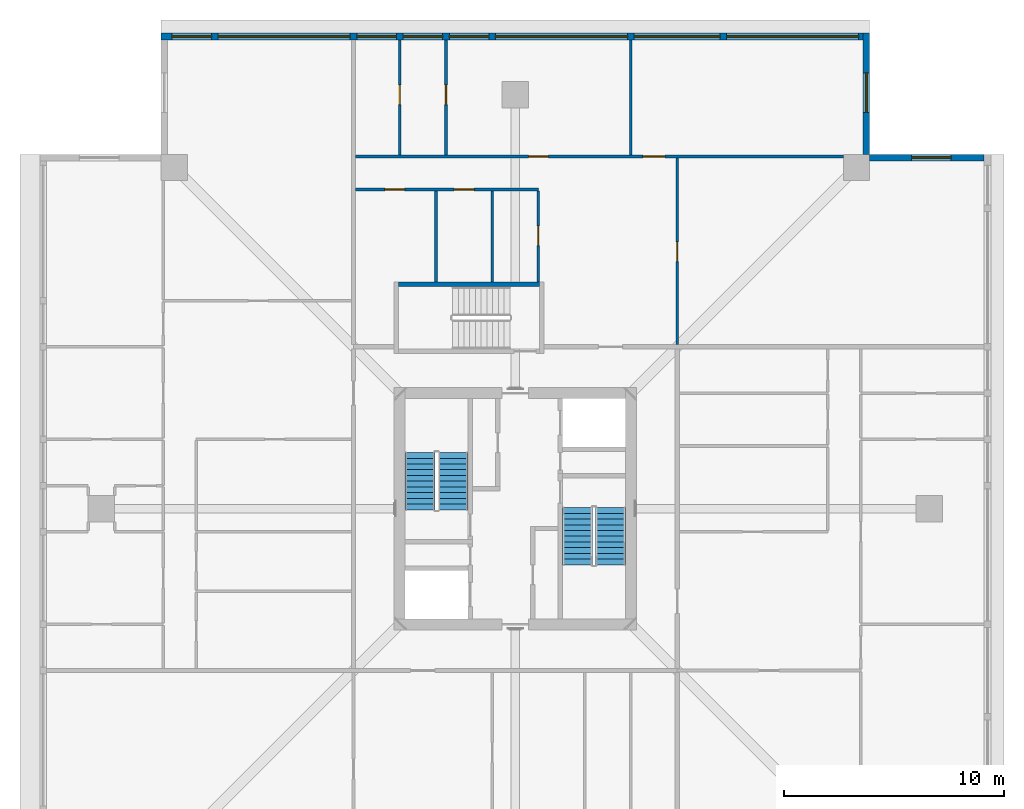
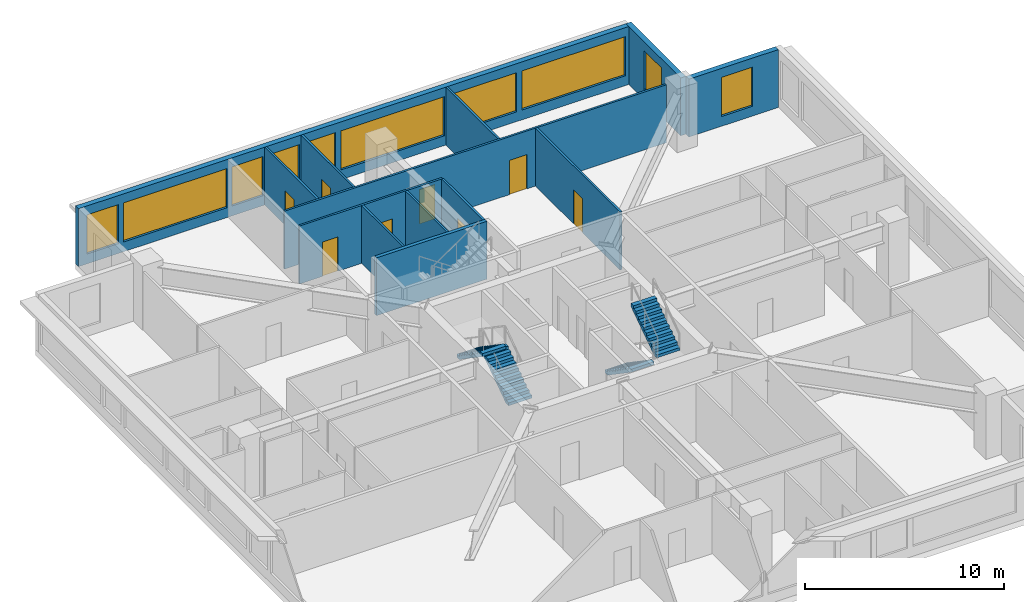
# One storey, part 8 of 12: 13 walls, 10 windows, 8 doors, 4 stair flights, 18 openings, 2 elements without a shape of their own.
"""IFC4 building model written with IfcOpenShell, lengths in metres."""

from ifc_helpers import new_model, si_unit, direction, frame, frame_2d, origin, place, context, subcontext, project, spatial, polyline, rectangle, outline, extrude, material, layer, layer_set, type_object, element, fill, aggregate, save


model = new_model("IFC4")

# Units and contexts
model_context = context("Model", 3, precision=1e-05, world=origin(), true_north=direction((0.0, 1.0)))
body_context = subcontext(model_context, "Body", "Model", "MODEL_VIEW")
ifc_project = project(units=[si_unit("LENGTHUNIT", "METRE"), si_unit("AREAUNIT", "SQUARE_METRE"), si_unit("VOLUMEUNIT", "CUBIC_METRE"), si_unit("PLANEANGLEUNIT", "RADIAN"), si_unit("MASSUNIT", "GRAM", prefix="KILO")], contexts=[model_context])

# Site, building, storey
site_placement = place(None, origin())
site = spatial("IfcSite", under=ifc_project, at=site_placement, CompositionType="ELEMENT")
building_placement = place(site_placement, origin())
building = spatial("IfcBuilding", under=site, at=building_placement, Name="Khepri Terraces", CompositionType="ELEMENT")
storey_placement = place(building_placement, frame((0.0, 0.0, 296.699951171875)))
storey = spatial("IfcBuildingStorey", under=building, at=storey_placement, Name="L71", CompositionType="ELEMENT", Elevation=296.699951171875)

# Wall
ifc_material_1 = material(Name="Concrete C40/50", Category="concrete")
ifc_layer_1 = layer(ifc_material_1, 0.199951171875, Name="Concrete C40/50", Category="concrete")
ifc_layer_set_1 = layer_set([ifc_layer_1], Name="Concrete C40/50")
wall_type_1 = type_object("IfcWallType", Name="Core wall 200 C40/50", PredefinedType="SHEAR", material=ifc_layer_set_1)
wall_1_placement = place(storey_placement, frame((-5.300048828125, 10.199951171875, 0.0), z_axis=(0.0, 0.0, 1.0), x_axis=(1.0, 0.0, 0.0)))
element("IfcWall", 1, at=wall_1_placement, inside=storey, type_object=wall_type_1, Name="Core wall S3N L71", PredefinedType="SHEAR", context=body_context, shape_type="SweptSolid", body=[
    extrude(rectangle(XDim=6.400146484375, YDim=0.199951171875, at=frame_2d((3.2001953125, 0.0))), origin(), (0.0, 0.0, 1.0), 3.550048828125),
])

# Wall, opening, window
ifc_material_2 = material(Name="Precast concrete C50/60 warm stone", Category="masonry")
ifc_layer_2 = layer(ifc_material_2, 0.300048828125, Name="Precast concrete C50/60 warm stone", Category="masonry")
ifc_layer_set_2 = layer_set([ifc_layer_2], Name="Precast concrete C50/60 warm stone")
wall_type_2 = type_object("IfcWallType", Name="WL-EXT-PRECAST-300", PredefinedType="STANDARD", material=ifc_layer_set_2)
wall_2_placement = place(storey_placement, frame((21.300048828125, 15.949951171875, 0.0), z_axis=(0.0, 0.0, 1.0), x_axis=(-1.0, 0.0, 0.0)))
wall_2 = element("IfcWall", 2, at=wall_2_placement, inside=storey, type_object=wall_type_2, Name="External wall L71 N", PredefinedType="STANDARD", context=body_context, shape_type="SweptSolid", body=[
    extrude(rectangle(XDim=5.199951171875, YDim=0.300048828125, at=frame_2d((2.60009765625, 0.0))), origin(), (0.0, 0.0, 1.0), 3.550048828125),
])
opening_1_placement = place(wall_2_placement, frame((1.5, 0.0, 0.60009765625)))
opening_1 = element("IfcOpeningElement", 3, at=opening_1_placement, cuts=wall_2, Name="Opening WC1", PredefinedType="OPENING", context=body_context, shape_type="SweptSolid", body=[
    extrude(rectangle(XDim=1.800048828125, YDim=2.39990234375, at=frame_2d((0.89990234375, 1.199951171875))), frame((0.0, 0.16015625, 0.0), z_axis=(0.0, -1.0, 0.0), x_axis=(1.0, 0.0, 0.0)), (0.0, 0.0, 1.0), 0.320068359375),
])
ifc_material_3 = material(Name="Clear glass", Category="glass")
window_type_1 = type_object("IfcWindowType", Name="WIN-CRN-1800x2400", PartitioningType="SINGLE_PANEL", PredefinedType="WINDOW", material=ifc_material_3)
window_1_placement = place(opening_1_placement, origin())
window_1 = element("IfcWindow", 4, at=window_1_placement, inside=storey, type_object=window_type_1, Name="Window L71 N", OverallHeight=2.39990234375, OverallWidth=1.800048828125, PartitioningType="SINGLE_PANEL", PredefinedType="WINDOW", context=body_context, shape_type="SweptSolid", body=[
    extrude(rectangle(XDim=1.800048828125, YDim=2.39990234375, at=frame_2d((0.89990234375, 1.199951171875))), frame((0.0, 0.030029296875, 0.0), z_axis=(0.0, -1.0, 0.0), x_axis=(1.0, 0.0, 0.0)), (0.0, 0.0, 1.0), 0.06005859375),
])
fill(opening_1, window_1)

wall_3_placement = place(storey_placement, frame((15.949951171875, 16.10009765625, 0.0), z_axis=(0.0, 0.0, 1.0), x_axis=(0.0, 1.0, 0.0)))
wall_3 = element("IfcWall", 5, at=wall_3_placement, inside=storey, type_object=wall_type_2, Name="External wall L71 E", PredefinedType="STANDARD", context=body_context, shape_type="SweptSolid", body=[
    extrude(rectangle(XDim=5.5, YDim=0.300048828125, at=frame_2d((2.75, 0.0))), origin(), (0.0, 0.0, 1.0), 3.550048828125),
])
opening_2_placement = place(wall_3_placement, frame((1.89990234375, 0.0, 0.60009765625)))
opening_2 = element("IfcOpeningElement", 6, at=opening_2_placement, cuts=wall_3, Name="Opening WC1", PredefinedType="OPENING", context=body_context, shape_type="SweptSolid", body=[
    extrude(rectangle(XDim=1.800048828125, YDim=2.39990234375, at=frame_2d((0.89990234375, 1.199951171875))), frame((0.0, 0.16015625, 0.0), z_axis=(0.0, -1.0, 0.0), x_axis=(1.0, 0.0, 0.0)), (0.0, 0.0, 1.0), 0.320068359375),
])
window_2_placement = place(opening_2_placement, origin())
window_2 = element("IfcWindow", 7, at=window_2_placement, inside=storey, type_object=window_type_1, Name="Window L71 E", OverallHeight=2.39990234375, OverallWidth=1.800048828125, PartitioningType="SINGLE_PANEL", PredefinedType="WINDOW", context=body_context, shape_type="SweptSolid", body=[
    extrude(rectangle(XDim=1.800048828125, YDim=2.39990234375, at=frame_2d((0.89990234375, 1.199951171875))), frame((0.0, 0.030029296875, 0.0), z_axis=(0.0, -1.0, 0.0), x_axis=(1.0, 0.0, 0.0)), (0.0, 0.0, 1.0), 0.06005859375),
])
fill(opening_2, window_2)

# Wall, openings, windows
wall_4_placement = place(storey_placement, frame((15.800048828125, 21.449951171875, 0.0), z_axis=(0.0, 0.0, 1.0), x_axis=(-1.0, 0.0, 0.0)))
wall_4 = element("IfcWall", 8, at=wall_4_placement, inside=storey, type_object=wall_type_2, Name="External wall L71 N", PredefinedType="STANDARD", context=body_context, shape_type="SweptSolid", body=[
    extrude(rectangle(XDim=31.900146484375, YDim=0.300048828125, at=frame_2d((15.9501953125, 0.0))), origin(), (0.0, 0.0, 1.0), 3.550048828125),
])
opening_3_placement = place(wall_4_placement, frame((0.199951171875, 0.0, 0.60009765625)))
opening_3 = element("IfcOpeningElement", 9, at=opening_3_placement, cuts=wall_4, Name="Opening WC3", PredefinedType="OPENING", context=body_context, shape_type="SweptSolid", body=[
    extrude(rectangle(XDim=6.0, YDim=2.39990234375, at=frame_2d((3.0, 1.199951171875))), frame((0.0, 0.16015625, 0.0), z_axis=(0.0, -1.0, 0.0), x_axis=(1.0, 0.0, 0.0)), (0.0, 0.0, 1.0), 0.320068359375),
])
opening_4_placement = place(wall_4_placement, frame((6.5, 0.0, 0.60009765625)))
opening_4 = element("IfcOpeningElement", 10, at=opening_4_placement, cuts=wall_4, Name="Opening WC2", PredefinedType="OPENING", context=body_context, shape_type="SweptSolid", body=[
    extrude(rectangle(XDim=3.89990234375, YDim=2.39990234375, at=frame_2d((1.949951171875, 1.199951171875))), frame((0.0, 0.16015625, 0.0), z_axis=(0.0, -1.0, 0.0), x_axis=(1.0, 0.0, 0.0)), (0.0, 0.0, 1.0), 0.320068359375),
])
opening_5_placement = place(wall_4_placement, frame((10.699951171875, 0.0, 0.60009765625)))
opening_5 = element("IfcOpeningElement", 11, at=opening_5_placement, cuts=wall_4, Name="Opening WC3", PredefinedType="OPENING", context=body_context, shape_type="SweptSolid", body=[
    extrude(rectangle(XDim=6.0, YDim=2.39990234375, at=frame_2d((3.0, 1.199951171875))), frame((0.0, 0.16015625, 0.0), z_axis=(0.0, -1.0, 0.0), x_axis=(1.0, 0.0, 0.0)), (0.0, 0.0, 1.0), 0.320068359375),
])
opening_6_placement = place(wall_4_placement, frame((17.0, 0.0, 0.60009765625)))
opening_6 = element("IfcOpeningElement", 12, at=opening_6_placement, cuts=wall_4, Name="Opening WC1", PredefinedType="OPENING", context=body_context, shape_type="SweptSolid", body=[
    extrude(rectangle(XDim=1.800048828125, YDim=2.39990234375, at=frame_2d((0.89990234375, 1.199951171875))), frame((0.0, 0.16015625, 0.0), z_axis=(0.0, -1.0, 0.0), x_axis=(1.0, 0.0, 0.0)), (0.0, 0.0, 1.0), 0.320068359375),
])
opening_7_placement = place(wall_4_placement, frame((19.10009765625, 0.0, 0.60009765625)))
opening_7 = element("IfcOpeningElement", 13, at=opening_7_placement, cuts=wall_4, Name="Opening WC1", PredefinedType="OPENING", context=body_context, shape_type="SweptSolid", body=[
    extrude(rectangle(XDim=1.800048828125, YDim=2.39990234375, at=frame_2d((0.89990234375, 1.199951171875))), frame((0.0, 0.16015625, 0.0), z_axis=(0.0, -1.0, 0.0), x_axis=(1.0, 0.0, 0.0)), (0.0, 0.0, 1.0), 0.320068359375),
])
opening_8_placement = place(wall_4_placement, frame((21.199951171875, 0.0, 0.60009765625)))
opening_8 = element("IfcOpeningElement", 14, at=opening_8_placement, cuts=wall_4, Name="Opening WC1", PredefinedType="OPENING", context=body_context, shape_type="SweptSolid", body=[
    extrude(rectangle(XDim=1.800048828125, YDim=2.39990234375, at=frame_2d((0.89990234375, 1.199951171875))), frame((0.0, 0.16015625, 0.0), z_axis=(0.0, -1.0, 0.0), x_axis=(1.0, 0.0, 0.0)), (0.0, 0.0, 1.0), 0.320068359375),
])
opening_9_placement = place(wall_4_placement, frame((23.300048828125, 0.0, 0.60009765625)))
opening_9 = element("IfcOpeningElement", 15, at=opening_9_placement, cuts=wall_4, Name="Opening WC3", PredefinedType="OPENING", context=body_context, shape_type="SweptSolid", body=[
    extrude(rectangle(XDim=6.0, YDim=2.39990234375, at=frame_2d((3.0, 1.199951171875))), frame((0.0, 0.16015625, 0.0), z_axis=(0.0, -1.0, 0.0), x_axis=(1.0, 0.0, 0.0)), (0.0, 0.0, 1.0), 0.320068359375),
])
opening_10_placement = place(wall_4_placement, frame((29.60009765625, 0.0, 0.60009765625)))
opening_10 = element("IfcOpeningElement", 16, at=opening_10_placement, cuts=wall_4, Name="Opening WC1", PredefinedType="OPENING", context=body_context, shape_type="SweptSolid", body=[
    extrude(rectangle(XDim=1.800048828125, YDim=2.39990234375, at=frame_2d((0.89990234375, 1.199951171875))), frame((0.0, 0.16015625, 0.0), z_axis=(0.0, -1.0, 0.0), x_axis=(1.0, 0.0, 0.0)), (0.0, 0.0, 1.0), 0.320068359375),
])
window_3_placement = place(opening_6_placement, origin())
window_3 = element("IfcWindow", 17, at=window_3_placement, inside=storey, type_object=window_type_1, Name="Window L71 N", OverallHeight=2.39990234375, OverallWidth=1.800048828125, PartitioningType="SINGLE_PANEL", PredefinedType="WINDOW", context=body_context, shape_type="SweptSolid", body=[
    extrude(rectangle(XDim=1.800048828125, YDim=2.39990234375, at=frame_2d((0.89990234375, 1.199951171875))), frame((0.0, 0.030029296875, 0.0), z_axis=(0.0, -1.0, 0.0), x_axis=(1.0, 0.0, 0.0)), (0.0, 0.0, 1.0), 0.06005859375),
])
fill(opening_6, window_3)
window_4_placement = place(opening_7_placement, origin())
window_4 = element("IfcWindow", 18, at=window_4_placement, inside=storey, type_object=window_type_1, Name="Window L71 N", OverallHeight=2.39990234375, OverallWidth=1.800048828125, PartitioningType="SINGLE_PANEL", PredefinedType="WINDOW", context=body_context, shape_type="SweptSolid", body=[
    extrude(rectangle(XDim=1.800048828125, YDim=2.39990234375, at=frame_2d((0.89990234375, 1.199951171875))), frame((0.0, 0.030029296875, 0.0), z_axis=(0.0, -1.0, 0.0), x_axis=(1.0, 0.0, 0.0)), (0.0, 0.0, 1.0), 0.06005859375),
])
fill(opening_7, window_4)
window_5_placement = place(opening_8_placement, origin())
window_5 = element("IfcWindow", 19, at=window_5_placement, inside=storey, type_object=window_type_1, Name="Window L71 N", OverallHeight=2.39990234375, OverallWidth=1.800048828125, PartitioningType="SINGLE_PANEL", PredefinedType="WINDOW", context=body_context, shape_type="SweptSolid", body=[
    extrude(rectangle(XDim=1.800048828125, YDim=2.39990234375, at=frame_2d((0.89990234375, 1.199951171875))), frame((0.0, 0.030029296875, 0.0), z_axis=(0.0, -1.0, 0.0), x_axis=(1.0, 0.0, 0.0)), (0.0, 0.0, 1.0), 0.06005859375),
])
fill(opening_8, window_5)
window_6_placement = place(opening_10_placement, origin())
window_6 = element("IfcWindow", 20, at=window_6_placement, inside=storey, type_object=window_type_1, Name="Window L71 N", OverallHeight=2.39990234375, OverallWidth=1.800048828125, PartitioningType="SINGLE_PANEL", PredefinedType="WINDOW", context=body_context, shape_type="SweptSolid", body=[
    extrude(rectangle(XDim=1.800048828125, YDim=2.39990234375, at=frame_2d((0.89990234375, 1.199951171875))), frame((0.0, 0.030029296875, 0.0), z_axis=(0.0, -1.0, 0.0), x_axis=(1.0, 0.0, 0.0)), (0.0, 0.0, 1.0), 0.06005859375),
])
fill(opening_10, window_6)
window_type_2 = type_object("IfcWindowType", Name="WIN-CRN-3900x2400", PartitioningType="SINGLE_PANEL", PredefinedType="WINDOW", material=ifc_material_3)
window_7_placement = place(opening_4_placement, origin())
window_7 = element("IfcWindow", 21, at=window_7_placement, inside=storey, type_object=window_type_2, Name="Window L71 N", OverallHeight=2.39990234375, OverallWidth=3.89990234375, PartitioningType="SINGLE_PANEL", PredefinedType="WINDOW", context=body_context, shape_type="SweptSolid", body=[
    extrude(rectangle(XDim=3.89990234375, YDim=2.39990234375, at=frame_2d((1.949951171875, 1.199951171875))), frame((0.0, 0.030029296875, 0.0), z_axis=(0.0, -1.0, 0.0), x_axis=(1.0, 0.0, 0.0)), (0.0, 0.0, 1.0), 0.06005859375),
])
fill(opening_4, window_7)
window_type_3 = type_object("IfcWindowType", Name="WIN-CRN-6000x2400", PartitioningType="SINGLE_PANEL", PredefinedType="WINDOW", material=ifc_material_3)
window_8_placement = place(opening_3_placement, origin())
window_8 = element("IfcWindow", 22, at=window_8_placement, inside=storey, type_object=window_type_3, Name="Window L71 N", OverallHeight=2.39990234375, OverallWidth=6.0, PartitioningType="SINGLE_PANEL", PredefinedType="WINDOW", context=body_context, shape_type="SweptSolid", body=[
    extrude(rectangle(XDim=6.0, YDim=2.39990234375, at=frame_2d((3.0, 1.199951171875))), frame((0.0, 0.030029296875, 0.0), z_axis=(0.0, -1.0, 0.0), x_axis=(1.0, 0.0, 0.0)), (0.0, 0.0, 1.0), 0.06005859375),
])
fill(opening_3, window_8)
window_9_placement = place(opening_5_placement, origin())
window_9 = element("IfcWindow", 23, at=window_9_placement, inside=storey, type_object=window_type_3, Name="Window L71 N", OverallHeight=2.39990234375, OverallWidth=6.0, PartitioningType="SINGLE_PANEL", PredefinedType="WINDOW", context=body_context, shape_type="SweptSolid", body=[
    extrude(rectangle(XDim=6.0, YDim=2.39990234375, at=frame_2d((3.0, 1.199951171875))), frame((0.0, 0.030029296875, 0.0), z_axis=(0.0, -1.0, 0.0), x_axis=(1.0, 0.0, 0.0)), (0.0, 0.0, 1.0), 0.06005859375),
])
fill(opening_5, window_9)
window_10_placement = place(opening_9_placement, origin())
window_10 = element("IfcWindow", 24, at=window_10_placement, inside=storey, type_object=window_type_3, Name="Window L71 N", OverallHeight=2.39990234375, OverallWidth=6.0, PartitioningType="SINGLE_PANEL", PredefinedType="WINDOW", context=body_context, shape_type="SweptSolid", body=[
    extrude(rectangle(XDim=6.0, YDim=2.39990234375, at=frame_2d((3.0, 1.199951171875))), frame((0.0, 0.030029296875, 0.0), z_axis=(0.0, -1.0, 0.0), x_axis=(1.0, 0.0, 0.0)), (0.0, 0.0, 1.0), 0.06005859375),
])
fill(opening_9, window_10)

# Wall, opening, door
ifc_material_4 = material(Name="Gypsum plasterboard partition")
ifc_layer_3 = layer(ifc_material_4, 0.1201171875, Name="Gypsum plasterboard partition")
ifc_layer_set_3 = layer_set([ifc_layer_3], Name="Gypsum plasterboard partition")
wall_type_3 = type_object("IfcWallType", Name="WL-PART-120", PredefinedType="PARTITIONING", material=ifc_layer_set_3)
wall_5_placement = place(storey_placement, frame((7.35009765625, 7.449951171875, 0.0), z_axis=(0.0, 0.0, 1.0), x_axis=(0.0, 1.0, 0.0)))
wall_5 = element("IfcWall", 25, at=wall_5_placement, inside=storey, type_object=wall_type_3, Name="Partition P-056 L71", PredefinedType="PARTITIONING", context=body_context, shape_type="SweptSolid", body=[
    extrude(rectangle(XDim=8.489990234375, YDim=0.1201171875, at=frame_2d((4.2451171875, 0.0))), origin(), (0.0, 0.0, 1.0), 3.550048828125),
])
opening_11_placement = place(wall_5_placement, frame((3.77490234375, 0.0, 0.0)))
opening_11 = element("IfcOpeningElement", 26, at=opening_11_placement, cuts=wall_5, Name="Opening D3", PredefinedType="OPENING", context=body_context, shape_type="SweptSolid", body=[
    extrude(rectangle(XDim=0.89990234375, YDim=2.10009765625, at=frame_2d((0.449951171875, 1.050048828125))), frame((0.0, 0.070068359375, 0.0), z_axis=(0.0, -1.0, 0.0), x_axis=(1.0, 0.0, 0.0)), (0.0, 0.0, 1.0), 0.14013671875),
])
ifc_material_5 = material(Name="Timber door leaf", Category="wood")
door_type_1 = type_object("IfcDoorType", Name="DR-INT-900", OperationType="NOTDEFINED", PredefinedType="DOOR", material=ifc_material_5)
door_1_placement = place(opening_11_placement, frame((0.89990234375, 0.0, 0.0), z_axis=(0.0, 0.0, 1.0), x_axis=(-1.0, 0.0, 0.0)))
door_1 = element("IfcDoor", 27, at=door_1_placement, inside=storey, type_object=door_type_1, Name="Door Home Cinema", OperationType="SINGLE_SWING_RIGHT", OverallHeight=2.10009765625, OverallWidth=0.89990234375, PredefinedType="DOOR", context=body_context, shape_type="SweptSolid", body=[
    extrude(rectangle(XDim=0.89990234375, YDim=2.10009765625, at=frame_2d((0.449951171875, 1.050048828125))), frame((0.0, 0.02490234375, 0.0), z_axis=(0.0, -1.0, 0.0), x_axis=(1.0, 0.0, 0.0)), (0.0, 0.0, 1.0), 0.050048828125),
])
fill(opening_11, door_1)

# Walls
for number, where, z_axis, x_axis, name in (
    (28, (-3.60009765625, 10.300048828125, 0.0), (0.0, 0.0, 1.0), (0.0, 1.0, 0.0), "Partition P-059 L71"),
    (29, (-1.050048828125, 10.300048828125, 0.0), (0.0, 0.0, 1.0), (0.0, 1.0, 0.0), "Partition P-060 L71"),
):
    element("IfcWall", number, at=place(storey_placement, frame(where, z_axis=z_axis, x_axis=x_axis)), inside=storey, type_object=wall_type_3, Name=name, PredefinedType="PARTITIONING", context=body_context, shape_type="SweptSolid", body=[
        extrude(rectangle(XDim=4.139892578125, YDim=0.1201171875, at=frame_2d((2.06982421875, 0.0))), origin(), (0.0, 0.0, 1.0), 3.550048828125),
    ])

# Wall, opening, door
wall_6_placement = place(storey_placement, frame((1.050048828125, 10.300048828125, 0.0), z_axis=(0.0, 0.0, 1.0), x_axis=(0.0, 1.0, 0.0)))
wall_6 = element("IfcWall", 30, at=wall_6_placement, inside=storey, type_object=wall_type_3, Name="Partition P-061 L71", PredefinedType="PARTITIONING", context=body_context, shape_type="SweptSolid", body=[
    extrude(rectangle(XDim=4.139892578125, YDim=0.1201171875, at=frame_2d((2.06982421875, 0.0))), origin(), (0.0, 0.0, 1.0), 3.550048828125),
])
opening_12_placement = place(wall_6_placement, frame((1.64990234375, 0.0, 0.0)))
opening_12 = element("IfcOpeningElement", 31, at=opening_12_placement, cuts=wall_6, Name="Opening D4", PredefinedType="OPENING", context=body_context, shape_type="SweptSolid", body=[
    extrude(rectangle(XDim=0.89990234375, YDim=2.10009765625, at=frame_2d((0.449951171875, 1.050048828125))), frame((0.0, 0.070068359375, 0.0), z_axis=(0.0, -1.0, 0.0), x_axis=(1.0, 0.0, 0.0)), (0.0, 0.0, 1.0), 0.14013671875),
])
ifc_material_6 = material(Name="Timber door leaf, moisture resistant", Category="wood")
door_type_2 = type_object("IfcDoorType", Name="DR-WET-900", OperationType="NOTDEFINED", PredefinedType="DOOR", material=ifc_material_6)
door_2_placement = place(opening_12_placement, origin())
door_2 = element("IfcDoor", 32, at=door_2_placement, inside=storey, type_object=door_type_2, Name="Door Guest Bathroom", OperationType="SINGLE_SWING_RIGHT", OverallHeight=2.10009765625, OverallWidth=0.89990234375, PredefinedType="DOOR", context=body_context, shape_type="SweptSolid", body=[
    extrude(rectangle(XDim=0.89990234375, YDim=2.10009765625, at=frame_2d((0.449951171875, 1.050048828125))), frame((0.0, 0.02490234375, 0.0), z_axis=(0.0, -1.0, 0.0), x_axis=(1.0, 0.0, 0.0)), (0.0, 0.0, 1.0), 0.050048828125),
])
fill(opening_12, door_2)

# Wall, openings, doors
wall_7_placement = place(storey_placement, frame((-7.25, 14.5, 0.0), z_axis=(0.0, 0.0, 1.0), x_axis=(1.0, 0.0, 0.0)))
wall_7 = element("IfcWall", 33, at=wall_7_placement, inside=storey, type_object=wall_type_3, Name="Partition P-062 L71", PredefinedType="PARTITIONING", context=body_context, shape_type="SweptSolid", body=[
    extrude(rectangle(XDim=8.300048828125, YDim=0.1201171875, at=frame_2d((4.14990234375, 0.0))), origin(), (0.0, 0.0, 1.0), 3.550048828125),
])
opening_13_placement = place(wall_7_placement, frame((4.47509765625, 0.0, 0.0)))
opening_13 = element("IfcOpeningElement", 34, at=opening_13_placement, cuts=wall_7, Name="Opening D3", PredefinedType="OPENING", context=body_context, shape_type="SweptSolid", body=[
    extrude(rectangle(XDim=0.89990234375, YDim=2.10009765625, at=frame_2d((0.449951171875, 1.050048828125))), frame((0.0, 0.070068359375, 0.0), z_axis=(0.0, -1.0, 0.0), x_axis=(1.0, 0.0, 0.0)), (0.0, 0.0, 1.0), 0.14013671875),
])
opening_14_placement = place(wall_7_placement, frame((1.324951171875, 0.0, 0.0)))
opening_14 = element("IfcOpeningElement", 35, at=opening_14_placement, cuts=wall_7, Name="Opening D3", PredefinedType="OPENING", context=body_context, shape_type="SweptSolid", body=[
    extrude(rectangle(XDim=0.89990234375, YDim=2.10009765625, at=frame_2d((0.449951171875, 1.050048828125))), frame((0.0, 0.070068359375, 0.0), z_axis=(0.0, -1.0, 0.0), x_axis=(1.0, 0.0, 0.0)), (0.0, 0.0, 1.0), 0.14013671875),
])
door_3_placement = place(opening_13_placement, frame((0.89990234375, 0.0, 0.0), z_axis=(0.0, 0.0, 1.0), x_axis=(-1.0, 0.0, 0.0)))
door_3 = element("IfcDoor", 36, at=door_3_placement, inside=storey, type_object=door_type_1, Name="Door Kitchen", OperationType="SINGLE_SWING_LEFT", OverallHeight=2.10009765625, OverallWidth=0.89990234375, PredefinedType="DOOR", context=body_context, shape_type="SweptSolid", body=[
    extrude(rectangle(XDim=0.89990234375, YDim=2.10009765625, at=frame_2d((0.449951171875, 1.050048828125))), frame((0.0, 0.02490234375, 0.0), z_axis=(0.0, -1.0, 0.0), x_axis=(1.0, 0.0, 0.0)), (0.0, 0.0, 1.0), 0.050048828125),
])
fill(opening_13, door_3)
door_4_placement = place(opening_14_placement, frame((0.89990234375, 0.0, 0.0), z_axis=(0.0, 0.0, 1.0), x_axis=(-1.0, 0.0, 0.0)))
door_4 = element("IfcDoor", 37, at=door_4_placement, inside=storey, type_object=door_type_1, Name="Door Staff Bedroom", OperationType="SINGLE_SWING_RIGHT", OverallHeight=2.10009765625, OverallWidth=0.89990234375, PredefinedType="DOOR", context=body_context, shape_type="SweptSolid", body=[
    extrude(rectangle(XDim=0.89990234375, YDim=2.10009765625, at=frame_2d((0.449951171875, 1.050048828125))), frame((0.0, 0.02490234375, 0.0), z_axis=(0.0, -1.0, 0.0), x_axis=(1.0, 0.0, 0.0)), (0.0, 0.0, 1.0), 0.050048828125),
])
fill(opening_14, door_4)

wall_8_placement = place(storey_placement, frame((-7.25, 16.0, 0.0), z_axis=(0.0, 0.0, 1.0), x_axis=(1.0, 0.0, 0.0)))
wall_8 = element("IfcWall", 38, at=wall_8_placement, inside=storey, type_object=wall_type_3, Name="Partition P-063 L71", PredefinedType="PARTITIONING", context=body_context, shape_type="SweptSolid", body=[
    extrude(rectangle(XDim=22.14990234375, YDim=0.1201171875, at=frame_2d((11.074951171875, 0.0))), origin(), (0.0, 0.0, 1.0), 3.550048828125),
])
opening_15_placement = place(wall_8_placement, frame((13.050048828125, 0.0, 0.0)))
opening_15 = element("IfcOpeningElement", 39, at=opening_15_placement, cuts=wall_8, Name="Opening D2", PredefinedType="OPENING", context=body_context, shape_type="SweptSolid", body=[
    extrude(rectangle(XDim=1.0, YDim=2.10009765625, at=frame_2d((0.5, 1.050048828125))), frame((0.0, 0.070068359375, 0.0), z_axis=(0.0, -1.0, 0.0), x_axis=(1.0, 0.0, 0.0)), (0.0, 0.0, 1.0), 0.14013671875),
])
opening_16_placement = place(wall_8_placement, frame((7.85009765625, 0.0, 0.0)))
opening_16 = element("IfcOpeningElement", 40, at=opening_16_placement, cuts=wall_8, Name="Opening D3", PredefinedType="OPENING", context=body_context, shape_type="SweptSolid", body=[
    extrude(rectangle(XDim=0.89990234375, YDim=2.10009765625, at=frame_2d((0.449951171875, 1.050048828125))), frame((0.0, 0.070068359375, 0.0), z_axis=(0.0, -1.0, 0.0), x_axis=(1.0, 0.0, 0.0)), (0.0, 0.0, 1.0), 0.14013671875),
])
ifc_material_7 = material(Name="Timber door leaf, living room door", Category="wood")
door_type_3 = type_object("IfcDoorType", Name="DR-INT-1000", OperationType="NOTDEFINED", PredefinedType="DOOR", material=ifc_material_7)
door_5_placement = place(opening_15_placement, origin())
door_5 = element("IfcDoor", 41, at=door_5_placement, inside=storey, type_object=door_type_3, Name="Door Living Room", OperationType="SINGLE_SWING_RIGHT", OverallHeight=2.10009765625, OverallWidth=1.0, PredefinedType="DOOR", context=body_context, shape_type="SweptSolid", body=[
    extrude(rectangle(XDim=1.0, YDim=2.10009765625, at=frame_2d((0.5, 1.050048828125))), frame((0.0, 0.02490234375, 0.0), z_axis=(0.0, -1.0, 0.0), x_axis=(1.0, 0.0, 0.0)), (0.0, 0.0, 1.0), 0.050048828125),
])
fill(opening_15, door_5)
door_6_placement = place(opening_16_placement, origin())
door_6 = element("IfcDoor", 42, at=door_6_placement, inside=storey, type_object=door_type_1, Name="Door Master Bedroom", OperationType="SINGLE_SWING_LEFT", OverallHeight=2.10009765625, OverallWidth=0.89990234375, PredefinedType="DOOR", context=body_context, shape_type="SweptSolid", body=[
    extrude(rectangle(XDim=0.89990234375, YDim=2.10009765625, at=frame_2d((0.449951171875, 1.050048828125))), frame((0.0, 0.02490234375, 0.0), z_axis=(0.0, -1.0, 0.0), x_axis=(1.0, 0.0, 0.0)), (0.0, 0.0, 1.0), 0.050048828125),
])
fill(opening_16, door_6)

# Wall, opening, door
wall_9_placement = place(storey_placement, frame((-5.25, 16.06005859375, 0.0), z_axis=(0.0, 0.0, 1.0), x_axis=(0.0, 1.0, 0.0)))
wall_9 = element("IfcWall", 43, at=wall_9_placement, inside=storey, type_object=wall_type_3, Name="Partition P-064 L71", PredefinedType="PARTITIONING", context=body_context, shape_type="SweptSolid", body=[
    extrude(rectangle(XDim=5.239990234375, YDim=0.1201171875, at=frame_2d((2.6201171875, 0.0))), origin(), (0.0, 0.0, 1.0), 3.550048828125),
])
opening_17_placement = place(wall_9_placement, frame((2.2900390625, 0.0, 0.0)))
opening_17 = element("IfcOpeningElement", 44, at=opening_17_placement, cuts=wall_9, Name="Opening D4", PredefinedType="OPENING", context=body_context, shape_type="SweptSolid", body=[
    extrude(rectangle(XDim=0.89990234375, YDim=2.10009765625, at=frame_2d((0.449951171875, 1.050048828125))), frame((0.0, 0.070068359375, 0.0), z_axis=(0.0, -1.0, 0.0), x_axis=(1.0, 0.0, 0.0)), (0.0, 0.0, 1.0), 0.14013671875),
])
door_7_placement = place(opening_17_placement, origin())
door_7 = element("IfcDoor", 45, at=door_7_placement, inside=storey, type_object=door_type_2, Name="Door Bathroom", OperationType="SINGLE_SWING_RIGHT", OverallHeight=2.10009765625, OverallWidth=0.89990234375, PredefinedType="DOOR", context=body_context, shape_type="SweptSolid", body=[
    extrude(rectangle(XDim=0.89990234375, YDim=2.10009765625, at=frame_2d((0.449951171875, 1.050048828125))), frame((0.0, 0.02490234375, 0.0), z_axis=(0.0, -1.0, 0.0), x_axis=(1.0, 0.0, 0.0)), (0.0, 0.0, 1.0), 0.050048828125),
])
fill(opening_17, door_7)

wall_10_placement = place(storey_placement, frame((-3.14990234375, 16.06005859375, 0.0), z_axis=(0.0, 0.0, 1.0), x_axis=(0.0, 1.0, 0.0)))
wall_10 = element("IfcWall", 46, at=wall_10_placement, inside=storey, type_object=wall_type_3, Name="Partition P-065 L71", PredefinedType="PARTITIONING", context=body_context, shape_type="SweptSolid", body=[
    extrude(rectangle(XDim=5.239990234375, YDim=0.1201171875, at=frame_2d((2.6201171875, 0.0))), origin(), (0.0, 0.0, 1.0), 3.550048828125),
])
opening_18_placement = place(wall_10_placement, frame((2.2900390625, 0.0, 0.0)))
opening_18 = element("IfcOpeningElement", 47, at=opening_18_placement, cuts=wall_10, Name="Opening D3", PredefinedType="OPENING", context=body_context, shape_type="SweptSolid", body=[
    extrude(rectangle(XDim=0.89990234375, YDim=2.10009765625, at=frame_2d((0.449951171875, 1.050048828125))), frame((0.0, 0.070068359375, 0.0), z_axis=(0.0, -1.0, 0.0), x_axis=(1.0, 0.0, 0.0)), (0.0, 0.0, 1.0), 0.14013671875),
])
door_8_placement = place(opening_18_placement, origin())
door_8 = element("IfcDoor", 48, at=door_8_placement, inside=storey, type_object=door_type_1, Name="Door Dressing Room", OperationType="SINGLE_SWING_RIGHT", OverallHeight=2.10009765625, OverallWidth=0.89990234375, PredefinedType="DOOR", context=body_context, shape_type="SweptSolid", body=[
    extrude(rectangle(XDim=0.89990234375, YDim=2.10009765625, at=frame_2d((0.449951171875, 1.050048828125))), frame((0.0, 0.02490234375, 0.0), z_axis=(0.0, -1.0, 0.0), x_axis=(1.0, 0.0, 0.0)), (0.0, 0.0, 1.0), 0.050048828125),
])
fill(opening_18, door_8)

# Wall
wall_11_placement = place(storey_placement, frame((5.25, 16.06005859375, 0.0), z_axis=(0.0, 0.0, 1.0), x_axis=(0.0, 1.0, 0.0)))
element("IfcWall", 49, at=wall_11_placement, inside=storey, type_object=wall_type_3, Name="Partition P-066 L71", PredefinedType="PARTITIONING", context=body_context, shape_type="SweptSolid", body=[
    extrude(rectangle(XDim=5.239990234375, YDim=0.1201171875, at=frame_2d((2.6201171875, 0.0))), origin(), (0.0, 0.0, 1.0), 3.550048828125),
])

# Stair, stair flights
stair_type = type_object("IfcStairType", Name="STAIR-RC-22R", PredefinedType="HALF_TURN_STAIR", material=ifc_material_1)
stair_1_placement = place(storey_placement, origin())
stair_1 = element("IfcStair", 50, at=stair_1_placement, inside=storey, type_object=stair_type, Name="L71 Exit Stair ST-1", PredefinedType="HALF_TURN_STAIR")
stair_flight_type = type_object("IfcStairFlightType", Name="SFL-RC-177.3", PredefinedType="STRAIGHT", material=ifc_material_1)
stair_flight_1_placement = place(storey_placement, frame((-2.824951171875, -0.050048828125, 0.0), z_axis=(0.0, 0.0, 1.0), x_axis=(0.0, 1.0, 0.0)))
stair_flight_1 = element("IfcStairFlight", 51, at=stair_flight_1_placement, type_object=stair_flight_type, Name="ST-1 flight 1", NumberOfRisers=11, NumberOfTreads=10, PredefinedType="STRAIGHT", RiserHeight=0.177272727, TreadLength=0.26, context=body_context, shape_type="SweptSolid", body=[
    extrude(outline(polyline([(0.0, 0.0), (0.0, 0.17724609375), (0.260009765625, 0.17724609375), (0.260009765625, 0.3544921875), (0.52001953125, 0.3544921875), (0.52001953125, 0.53173828125), (0.780029296875, 0.53173828125), (0.780029296875, 0.708984375), (1.0400390625, 0.708984375), (1.0400390625, 0.886474609375), (1.300048828125, 0.886474609375), (1.300048828125, 1.063720703125), (1.56005859375, 1.063720703125), (1.56005859375, 1.240966796875), (1.820068359375, 1.240966796875), (1.820068359375, 1.418212890625), (2.080078125, 1.418212890625), (2.080078125, 1.595458984375), (2.340087890625, 1.595458984375), (2.340087890625, 1.772705078125), (2.60009765625, 1.772705078125), (2.60009765625, 1.949951171875), (2.60009765625, 1.59130859375), (0.26611328125, 0.0), (0.0, 0.0)])), frame((0.0, 0.675048828125, 0.0), z_axis=(0.0, -1.0, 0.0), x_axis=(1.0, 0.0, 0.0)), (0.0, 0.0, 1.0), 1.35009765625),
])
stair_flight_2_placement = place(storey_placement, frame((-4.324951171875, 2.550048828125, 1.949951171875), z_axis=(0.0, 0.0, 1.0), x_axis=(0.0, -1.0, 0.0)))
stair_flight_2 = element("IfcStairFlight", 52, at=stair_flight_2_placement, type_object=stair_flight_type, Name="ST-1 flight 2", NumberOfRisers=11, NumberOfTreads=10, PredefinedType="STRAIGHT", RiserHeight=0.177272727, TreadLength=0.26, context=body_context, shape_type="SweptSolid", body=[
    extrude(outline(polyline([(0.0, 0.0), (0.0, 0.17724609375), (0.260009765625, 0.17724609375), (0.260009765625, 0.3544921875), (0.52001953125, 0.3544921875), (0.52001953125, 0.53173828125), (0.780029296875, 0.53173828125), (0.780029296875, 0.708984375), (1.0400390625, 0.708984375), (1.0400390625, 0.886474609375), (1.300048828125, 0.886474609375), (1.300048828125, 1.063720703125), (1.56005859375, 1.063720703125), (1.56005859375, 1.240966796875), (1.820068359375, 1.240966796875), (1.820068359375, 1.418212890625), (2.080078125, 1.418212890625), (2.080078125, 1.595458984375), (2.340087890625, 1.595458984375), (2.340087890625, 1.772705078125), (2.60009765625, 1.772705078125), (2.60009765625, 1.949951171875), (2.60009765625, 1.59130859375), (0.26611328125, 0.0), (0.0, 0.0)])), frame((0.0, 0.675048828125, 0.0), z_axis=(0.0, -1.0, 0.0), x_axis=(1.0, 0.0, 0.0)), (0.0, 0.0, 1.0), 1.35009765625),
])
aggregate(stair_1, [stair_flight_1, stair_flight_2])

stair_2_placement = place(storey_placement, origin())
stair_2 = element("IfcStair", 53, at=stair_2_placement, inside=storey, type_object=stair_type, Name="L71 Exit Stair ST-2", PredefinedType="HALF_TURN_STAIR")
stair_flight_3_placement = place(storey_placement, frame((2.824951171875, 0.050048828125, 0.0), z_axis=(0.0, 0.0, 1.0), x_axis=(0.0, -1.0, 0.0)))
stair_flight_3 = element("IfcStairFlight", 54, at=stair_flight_3_placement, type_object=stair_flight_type, Name="ST-2 flight 1", NumberOfRisers=11, NumberOfTreads=10, PredefinedType="STRAIGHT", RiserHeight=0.177272727, TreadLength=0.26, context=body_context, shape_type="SweptSolid", body=[
    extrude(outline(polyline([(0.0, 0.0), (0.0, 0.17724609375), (0.260009765625, 0.17724609375), (0.260009765625, 0.3544921875), (0.52001953125, 0.3544921875), (0.52001953125, 0.53173828125), (0.780029296875, 0.53173828125), (0.780029296875, 0.708984375), (1.0400390625, 0.708984375), (1.0400390625, 0.886474609375), (1.300048828125, 0.886474609375), (1.300048828125, 1.063720703125), (1.56005859375, 1.063720703125), (1.56005859375, 1.240966796875), (1.820068359375, 1.240966796875), (1.820068359375, 1.418212890625), (2.080078125, 1.418212890625), (2.080078125, 1.595458984375), (2.340087890625, 1.595458984375), (2.340087890625, 1.772705078125), (2.60009765625, 1.772705078125), (2.60009765625, 1.949951171875), (2.60009765625, 1.59130859375), (0.26611328125, 0.0), (0.0, 0.0)])), frame((0.0, 0.675048828125, 0.0), z_axis=(0.0, -1.0, 0.0), x_axis=(1.0, 0.0, 0.0)), (0.0, 0.0, 1.0), 1.35009765625),
])
stair_flight_4_placement = place(storey_placement, frame((4.324951171875, -2.550048828125, 1.949951171875), z_axis=(0.0, 0.0, 1.0), x_axis=(0.0, 1.0, 0.0)))
stair_flight_4 = element("IfcStairFlight", 55, at=stair_flight_4_placement, type_object=stair_flight_type, Name="ST-2 flight 2", NumberOfRisers=11, NumberOfTreads=10, PredefinedType="STRAIGHT", RiserHeight=0.177272727, TreadLength=0.26, context=body_context, shape_type="SweptSolid", body=[
    extrude(outline(polyline([(0.0, 0.0), (0.0, 0.17724609375), (0.260009765625, 0.17724609375), (0.260009765625, 0.3544921875), (0.52001953125, 0.3544921875), (0.52001953125, 0.53173828125), (0.780029296875, 0.53173828125), (0.780029296875, 0.708984375), (1.0400390625, 0.708984375), (1.0400390625, 0.886474609375), (1.300048828125, 0.886474609375), (1.300048828125, 1.063720703125), (1.56005859375, 1.063720703125), (1.56005859375, 1.240966796875), (1.820068359375, 1.240966796875), (1.820068359375, 1.418212890625), (2.080078125, 1.418212890625), (2.080078125, 1.595458984375), (2.340087890625, 1.595458984375), (2.340087890625, 1.772705078125), (2.60009765625, 1.772705078125), (2.60009765625, 1.949951171875), (2.60009765625, 1.59130859375), (0.26611328125, 0.0), (0.0, 0.0)])), frame((0.0, 0.675048828125, 0.0), z_axis=(0.0, -1.0, 0.0), x_axis=(1.0, 0.0, 0.0)), (0.0, 0.0, 1.0), 1.35009765625),
])
aggregate(stair_2, [stair_flight_3, stair_flight_4])

save(model, "model.ifc")
